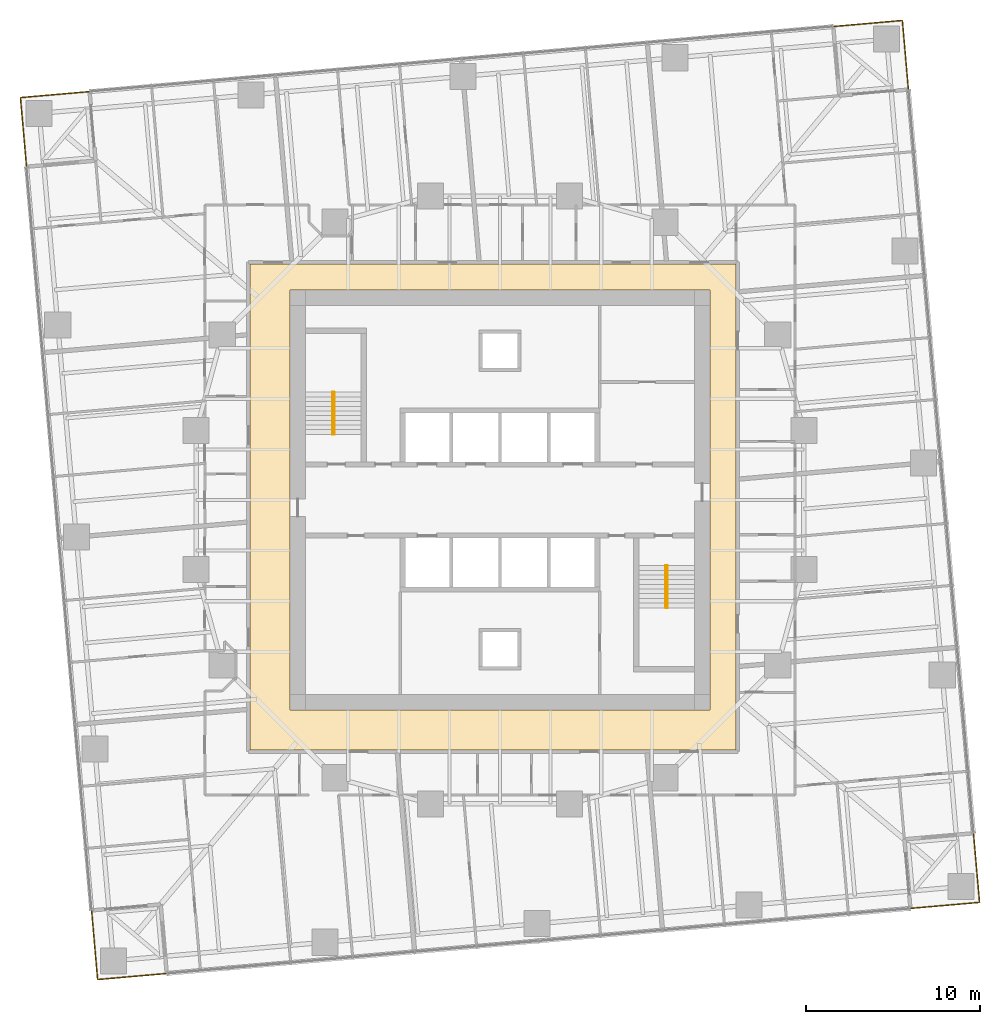
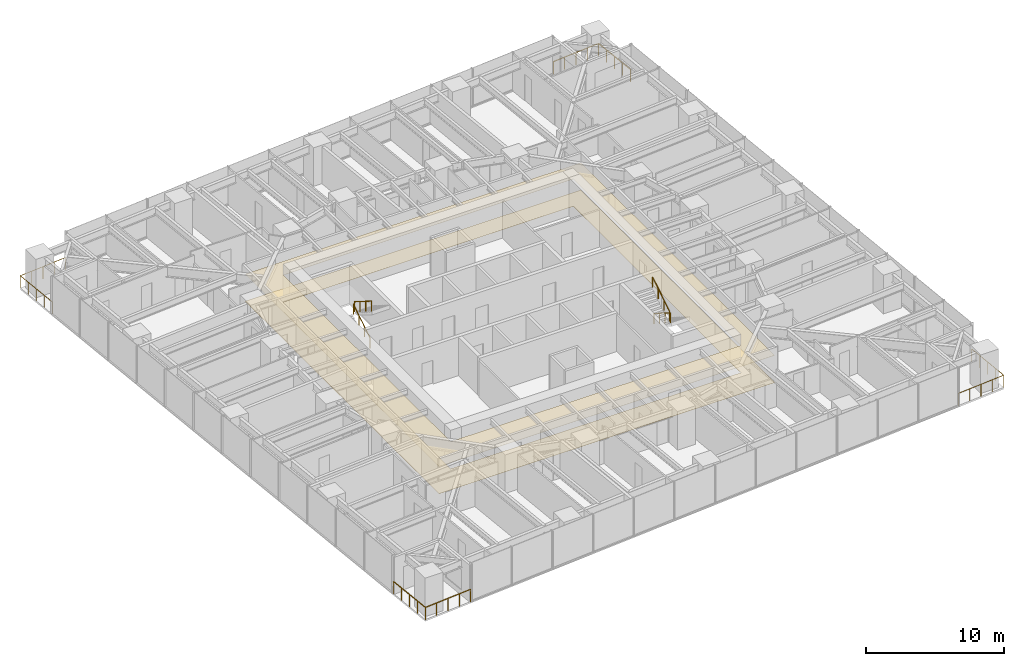
# One storey, part 14 of 14: 8 railings, 2 coverings, 2 elements without a shape of their own.
"""IFC4 building model written with IfcOpenShell, lengths in metres."""

from ifc_helpers import new_model, si_unit, direction, frame, origin, origin_2d, place, context, subcontext, project, spatial, polyline, circle, outline, extrude, material, layer, layer_set, type_object, element, aggregate, save


model = new_model("IFC4")

# Units and contexts
model_context = context("Model", 3, precision=1e-05, world=origin(), true_north=direction((0.0, 1.0)))
body_context = subcontext(model_context, "Body", "Model", "MODEL_VIEW")
ifc_project = project(units=[si_unit("LENGTHUNIT", "METRE"), si_unit("AREAUNIT", "SQUARE_METRE"), si_unit("VOLUMEUNIT", "CUBIC_METRE"), si_unit("PLANEANGLEUNIT", "RADIAN"), si_unit("MASSUNIT", "GRAM", prefix="KILO")], contexts=[model_context])

# Site, building, storey
site_placement = place(None, origin())
site = spatial("IfcSite", under=ifc_project, at=site_placement, CompositionType="ELEMENT")
building_placement = place(site_placement, origin())
building = spatial("IfcBuilding", under=site, at=building_placement, Name="Torsade Residences", CompositionType="ELEMENT")
storey_placement = place(building_placement, frame((0.0, 0.0, 54.0)))
storey = spatial("IfcBuildingStorey", under=building, at=storey_placement, Name="L14", CompositionType="ELEMENT", Elevation=54.0)

# Coverings
ifc_material_1 = material(Name="Nylon carpet tile on underlay", Category="textile")
ifc_layer_1 = layer(ifc_material_1, 0.010009765625)
ifc_layer_set_1 = layer_set([ifc_layer_1], Name="Nylon carpet tile on underlay")
covering_type_1 = type_object("IfcCoveringType", Name="CORRIDOR CARPET TILE 10", PredefinedType="FLOORING", material=ifc_layer_set_1)
covering_1_placement = place(storey_placement, origin())
element("IfcCovering", 1, at=covering_1_placement, inside=storey, type_object=covering_type_1, Name="Corridor carpet L14", PredefinedType="FLOORING", context=body_context, shape_type="SweptSolid", body=[
    extrude(outline(polyline([(53.60009765625, 15.60009765625), (53.60009765625, 43.60009765625), (25.60009765625, 43.60009765625), (25.60009765625, 15.60009765625), (53.60009765625, 15.60009765625)]), holes=[polyline([(52.10009765625, 42.10009765625), (27.89990234375, 42.10009765625), (27.89990234375, 17.89990234375), (52.10009765625, 17.89990234375), (52.10009765625, 42.10009765625)])]), origin(), (0.0, 0.0, 1.0), 0.010009765625),
])
ifc_material_2 = material(Name="Plasterboard on suspended steel grid", Category="steel")
ifc_layer_2 = layer(ifc_material_2, 0.012939453125)
ifc_layer_set_2 = layer_set([ifc_layer_2], Name="Plasterboard on suspended steel grid")
covering_type_2 = type_object("IfcCoveringType", Name="CORRIDOR SUSPENDED CEILING 13", PredefinedType="CEILING", material=ifc_layer_set_2)
covering_2_placement = place(storey_placement, frame((0.0, 0.0, 2.39990234375)))
element("IfcCovering", 2, at=covering_2_placement, inside=storey, type_object=covering_type_2, Name="Corridor ceiling L14", PredefinedType="CEILING", context=body_context, shape_type="SweptSolid", body=[
    extrude(outline(polyline([(53.60009765625, 15.60009765625), (53.60009765625, 43.60009765625), (25.60009765625, 43.60009765625), (25.60009765625, 15.60009765625), (53.60009765625, 15.60009765625)]), holes=[polyline([(52.10009765625, 42.10009765625), (27.89990234375, 42.10009765625), (27.89990234375, 17.89990234375), (52.10009765625, 17.89990234375), (52.10009765625, 42.10009765625)])]), origin(), (0.0, 0.0, 1.0), 0.01318359375),
])

# Stair, railings
ifc_material_3 = material(Name="Precast concrete 40 MPa", Category="concrete")
stair_type = type_object("IfcStairType", Name="HALF-TURN FIRE STAIR 1500x3400", PredefinedType="HALF_TURN_STAIR", material=ifc_material_3)
stair_1_placement = place(storey_placement, origin())
stair_1 = element("IfcStair", 3, at=stair_1_placement, inside=storey, type_object=stair_type, Name="Stair ST1 L14", PredefinedType="HALF_TURN_STAIR")
ifc_material_4 = material(Name="Steel handrail", Category="steel")
railing_type_1 = type_object("IfcRailingType", Name="STAIR HANDRAIL 900", PredefinedType="HANDRAIL", material=ifc_material_4)
railing_1_placement = place(storey_placement, frame((30.35009765625, 33.780029296875, 0.169921875)))
railing_1 = element("IfcRailing", 4, at=railing_1_placement, type_object=railing_type_1, Name="Handrail ST1 flight 1 L14", PredefinedType="HANDRAIL", context=body_context, shape_type="SweptSolid", body=[
    extrude(circle(Radius=0.02392578125, at=origin_2d()), frame((0.0, 0.0, 0.8759765625), z_axis=(0.0, 0.846221481393, 0.532831309544), x_axis=(-1.0, 0.0, 0.0)), (0.0, 0.0, 1.0), 2.87158203125),
    extrude(circle(Radius=0.02099609375, at=origin_2d()), origin(), (0.0, 0.0, 1.0), 0.851806640625),
    extrude(circle(Radius=0.02099609375, at=origin_2d()), frame((0.0, 0.81005859375, 0.510009765625)), (0.0, 0.0, 1.0), 0.851806640625),
    extrude(circle(Radius=0.02099609375, at=origin_2d()), frame((0.0, 1.619873046875, 1.02001953125)), (0.0, 0.0, 1.0), 0.851806640625),
    extrude(circle(Radius=0.02099609375, at=origin_2d()), frame((0.0, 2.429931640625, 1.530029296875)), (0.0, 0.0, 1.0), 0.851806640625),
])
railing_2_placement = place(storey_placement, frame((30.449951171875, 36.2099609375, 1.8701171875)))
railing_2 = element("IfcRailing", 5, at=railing_2_placement, type_object=railing_type_1, Name="Handrail ST1 flight 2 L14", PredefinedType="HANDRAIL", context=body_context, shape_type="SweptSolid", body=[
    extrude(circle(Radius=0.02392578125, at=origin_2d()), frame((0.0, 0.0, 0.8759765625), z_axis=(0.0, -0.846259816676, 0.532770422113), x_axis=(1.0, 0.0, 0.0)), (0.0, 0.0, 1.0), 2.871337890625),
    extrude(circle(Radius=0.02099609375, at=origin_2d()), origin(), (0.0, 0.0, 1.0), 0.851806640625),
    extrude(circle(Radius=0.02099609375, at=origin_2d()), frame((0.0, -0.81005859375, 0.510009765625)), (0.0, 0.0, 1.0), 0.851806640625),
    extrude(circle(Radius=0.02099609375, at=origin_2d()), frame((0.0, -1.619873046875, 1.019775390625)), (0.0, 0.0, 1.0), 0.851806640625),
    extrude(circle(Radius=0.02099609375, at=origin_2d()), frame((0.0, -2.429931640625, 1.52978515625)), (0.0, 0.0, 1.0), 0.851806640625),
])
aggregate(stair_1, [railing_1, railing_2])

stair_2_placement = place(storey_placement, origin())
stair_2 = element("IfcStair", 6, at=stair_2_placement, inside=storey, type_object=stair_type, Name="Stair ST2 L14", PredefinedType="HALF_TURN_STAIR")
railing_3_placement = place(storey_placement, frame((49.64990234375, 26.219970703125, 0.169921875)))
railing_3 = element("IfcRailing", 7, at=railing_3_placement, type_object=railing_type_1, Name="Handrail ST2 flight 1 L14", PredefinedType="HANDRAIL", context=body_context, shape_type="SweptSolid", body=[
    extrude(circle(Radius=0.02392578125, at=origin_2d()), frame((0.0, 0.0, 0.8759765625), z_axis=(0.0, -0.846221481393, 0.532831309544), x_axis=(1.0, 0.0, 0.0)), (0.0, 0.0, 1.0), 2.87158203125),
    extrude(circle(Radius=0.02099609375, at=origin_2d()), origin(), (0.0, 0.0, 1.0), 0.851806640625),
    extrude(circle(Radius=0.02099609375, at=origin_2d()), frame((0.0, -0.81005859375, 0.510009765625)), (0.0, 0.0, 1.0), 0.851806640625),
    extrude(circle(Radius=0.02099609375, at=origin_2d()), frame((0.0, -1.619873046875, 1.02001953125)), (0.0, 0.0, 1.0), 0.851806640625),
    extrude(circle(Radius=0.02099609375, at=origin_2d()), frame((0.0, -2.429931640625, 1.530029296875)), (0.0, 0.0, 1.0), 0.851806640625),
])
railing_4_placement = place(storey_placement, frame((49.550048828125, 23.7900390625, 1.8701171875)))
railing_4 = element("IfcRailing", 8, at=railing_4_placement, type_object=railing_type_1, Name="Handrail ST2 flight 2 L14", PredefinedType="HANDRAIL", context=body_context, shape_type="SweptSolid", body=[
    extrude(circle(Radius=0.02392578125, at=origin_2d()), frame((0.0, 0.0, 0.8759765625), z_axis=(0.0, 0.846259816676, 0.532770422113), x_axis=(-1.0, 0.0, 0.0)), (0.0, 0.0, 1.0), 2.871337890625),
    extrude(circle(Radius=0.02099609375, at=origin_2d()), origin(), (0.0, 0.0, 1.0), 0.851806640625),
    extrude(circle(Radius=0.02099609375, at=origin_2d()), frame((0.0, 0.81005859375, 0.510009765625)), (0.0, 0.0, 1.0), 0.851806640625),
    extrude(circle(Radius=0.02099609375, at=origin_2d()), frame((0.0, 1.619873046875, 1.019775390625)), (0.0, 0.0, 1.0), 0.851806640625),
    extrude(circle(Radius=0.02099609375, at=origin_2d()), frame((0.0, 2.429931640625, 1.52978515625)), (0.0, 0.0, 1.0), 0.851806640625),
])
aggregate(stair_2, [railing_3, railing_4])

# Railings
ifc_material_5 = material(Name="Laminated glass balustrade", Category="glass")
railing_type_2 = type_object("IfcRailingType", Name="TERRACE GLASS BALUSTRADE 1100", PredefinedType="BALUSTRADE", material=ifc_material_5)
railing_5_placement = place(storey_placement, frame((63.640625, 6.470947265625, 0.0)))
element("IfcRailing", 9, at=railing_5_placement, inside=storey, type_object=railing_type_2, Name="Terrace balustrade SE L14", PredefinedType="BALUSTRADE", context=body_context, shape_type="SweptSolid", body=[
    extrude(circle(Radius=0.02392578125, at=origin_2d()), frame((0.0, 0.0, 1.076171875), z_axis=(0.99619464492, 0.087156350505, 0.0), x_axis=(-0.087156350505, 0.99619464492, 0.0)), (0.0, 0.0, 1.0), 4.0),
    extrude(circle(Radius=0.02392578125, at=origin_2d()), frame((3.98486328125, 0.3486328125, 1.076171875), z_axis=(-0.087161650072, 0.99619418125, 0.0), x_axis=(-0.99619418125, -0.087161650072, 0.0)), (0.0, 0.0, 1.0), 3.999755859375),
    extrude(circle(Radius=0.02099609375, at=origin_2d()), origin(), (0.0, 0.0, 1.0), 1.052001953125),
    extrude(circle(Radius=0.02099609375, at=origin_2d()), frame((0.99609375, 0.087158203125, 0.0)), (0.0, 0.0, 1.0), 1.052001953125),
    extrude(circle(Radius=0.02099609375, at=origin_2d()), frame((1.992431640625, 0.17431640625, 0.0)), (0.0, 0.0, 1.0), 1.052001953125),
    extrude(circle(Radius=0.02099609375, at=origin_2d()), frame((2.98876953125, 0.261474609375, 0.0)), (0.0, 0.0, 1.0), 1.052001953125),
    extrude(circle(Radius=0.02099609375, at=origin_2d()), frame((3.98486328125, 0.3486328125, 0.0)), (0.0, 0.0, 1.0), 1.052001953125),
    extrude(circle(Radius=0.02099609375, at=origin_2d()), frame((3.897705078125, 1.3447265625, 0.0)), (0.0, 0.0, 1.0), 1.052001953125),
    extrude(circle(Radius=0.02099609375, at=origin_2d()), frame((3.810546875, 2.3408203125, 0.0)), (0.0, 0.0, 1.0), 1.052001953125),
    extrude(circle(Radius=0.02099609375, at=origin_2d()), frame((3.723388671875, 3.337158203125, 0.0)), (0.0, 0.0, 1.0), 1.052001953125),
    extrude(circle(Radius=0.02099609375, at=origin_2d()), frame((3.63623046875, 4.333251953125, 0.0)), (0.0, 0.0, 1.0), 1.052001953125),
])
railing_6_placement = place(storey_placement, frame((63.529052734375, 53.640625, 0.0)))
element("IfcRailing", 10, at=railing_6_placement, inside=storey, type_object=railing_type_2, Name="Terrace balustrade NE L14", PredefinedType="BALUSTRADE", context=body_context, shape_type="SweptSolid", body=[
    extrude(circle(Radius=0.02392578125, at=origin_2d()), frame((0.0, 0.0, 1.076171875), z_axis=(-0.087156350505, 0.99619464492, 0.0), x_axis=(-0.99619464492, -0.087156350505, 0.0)), (0.0, 0.0, 1.0), 4.0),
    extrude(circle(Radius=0.02392578125, at=origin_2d()), frame((-0.3486328125, 3.98486328125, 1.076171875), z_axis=(-0.99619418125, -0.087161650072, 0.0), x_axis=(0.087161650072, -0.99619418125, 0.0)), (0.0, 0.0, 1.0), 3.999755859375),
    extrude(circle(Radius=0.02099609375, at=origin_2d()), origin(), (0.0, 0.0, 1.0), 1.052001953125),
    extrude(circle(Radius=0.02099609375, at=origin_2d()), frame((-0.087158203125, 0.99609375, 0.0)), (0.0, 0.0, 1.0), 1.052001953125),
    extrude(circle(Radius=0.02099609375, at=origin_2d()), frame((-0.17431640625, 1.992431640625, 0.0)), (0.0, 0.0, 1.0), 1.052001953125),
    extrude(circle(Radius=0.02099609375, at=origin_2d()), frame((-0.261474609375, 2.98876953125, 0.0)), (0.0, 0.0, 1.0), 1.052001953125),
    extrude(circle(Radius=0.02099609375, at=origin_2d()), frame((-0.3486328125, 3.98486328125, 0.0)), (0.0, 0.0, 1.0), 1.052001953125),
    extrude(circle(Radius=0.02099609375, at=origin_2d()), frame((-1.3447265625, 3.897705078125, 0.0)), (0.0, 0.0, 1.0), 1.052001953125),
    extrude(circle(Radius=0.02099609375, at=origin_2d()), frame((-2.3408203125, 3.810546875, 0.0)), (0.0, 0.0, 1.0), 1.052001953125),
    extrude(circle(Radius=0.02099609375, at=origin_2d()), frame((-3.337158203125, 3.723388671875, 0.0)), (0.0, 0.0, 1.0), 1.052001953125),
    extrude(circle(Radius=0.02099609375, at=origin_2d()), frame((-4.333251953125, 3.63623046875, 0.0)), (0.0, 0.0, 1.0), 1.052001953125),
])
railing_7_placement = place(storey_placement, frame((16.359375, 53.529052734375, 0.0)))
element("IfcRailing", 11, at=railing_7_placement, inside=storey, type_object=railing_type_2, Name="Terrace balustrade NW L14", PredefinedType="BALUSTRADE", context=body_context, shape_type="SweptSolid", body=[
    extrude(circle(Radius=0.02392578125, at=origin_2d()), frame((0.0, 0.0, 1.076171875), z_axis=(-0.99619464492, -0.087156350505, 0.0), x_axis=(0.087156350505, -0.99619464492, 0.0)), (0.0, 0.0, 1.0), 4.0),
    extrude(circle(Radius=0.02392578125, at=origin_2d()), frame((-3.98486328125, -0.3486328125, 1.076171875), z_axis=(0.087161650072, -0.99619418125, 0.0), x_axis=(0.99619418125, 0.087161650072, 0.0)), (0.0, 0.0, 1.0), 3.999755859375),
    extrude(circle(Radius=0.02099609375, at=origin_2d()), origin(), (0.0, 0.0, 1.0), 1.052001953125),
    extrude(circle(Radius=0.02099609375, at=origin_2d()), frame((-0.99609375, -0.087158203125, 0.0)), (0.0, 0.0, 1.0), 1.052001953125),
    extrude(circle(Radius=0.02099609375, at=origin_2d()), frame((-1.992431640625, -0.17431640625, 0.0)), (0.0, 0.0, 1.0), 1.052001953125),
    extrude(circle(Radius=0.02099609375, at=origin_2d()), frame((-2.98876953125, -0.261474609375, 0.0)), (0.0, 0.0, 1.0), 1.052001953125),
    extrude(circle(Radius=0.02099609375, at=origin_2d()), frame((-3.98486328125, -0.3486328125, 0.0)), (0.0, 0.0, 1.0), 1.052001953125),
    extrude(circle(Radius=0.02099609375, at=origin_2d()), frame((-3.897705078125, -1.3447265625, 0.0)), (0.0, 0.0, 1.0), 1.052001953125),
    extrude(circle(Radius=0.02099609375, at=origin_2d()), frame((-3.810546875, -2.3408203125, 0.0)), (0.0, 0.0, 1.0), 1.052001953125),
    extrude(circle(Radius=0.02099609375, at=origin_2d()), frame((-3.723388671875, -3.337158203125, 0.0)), (0.0, 0.0, 1.0), 1.052001953125),
    extrude(circle(Radius=0.02099609375, at=origin_2d()), frame((-3.63623046875, -4.333251953125, 0.0)), (0.0, 0.0, 1.0), 1.052001953125),
])
railing_8_placement = place(storey_placement, frame((16.470947265625, 6.359375, 0.0)))
element("IfcRailing", 12, at=railing_8_placement, inside=storey, type_object=railing_type_2, Name="Terrace balustrade SW L14", PredefinedType="BALUSTRADE", context=body_context, shape_type="SweptSolid", body=[
    extrude(circle(Radius=0.02392578125, at=origin_2d()), frame((0.0, 0.0, 1.076171875), z_axis=(0.087156350505, -0.99619464492, 0.0), x_axis=(0.99619464492, 0.087156350505, 0.0)), (0.0, 0.0, 1.0), 4.0),
    extrude(circle(Radius=0.02392578125, at=origin_2d()), frame((0.3486328125, -3.98486328125, 1.076171875), z_axis=(0.99619418125, 0.087161650072, 0.0), x_axis=(-0.087161650072, 0.99619418125, 0.0)), (0.0, 0.0, 1.0), 3.999755859375),
    extrude(circle(Radius=0.02099609375, at=origin_2d()), origin(), (0.0, 0.0, 1.0), 1.052001953125),
    extrude(circle(Radius=0.02099609375, at=origin_2d()), frame((0.087158203125, -0.99609375, 0.0)), (0.0, 0.0, 1.0), 1.052001953125),
    extrude(circle(Radius=0.02099609375, at=origin_2d()), frame((0.17431640625, -1.992431640625, 0.0)), (0.0, 0.0, 1.0), 1.052001953125),
    extrude(circle(Radius=0.02099609375, at=origin_2d()), frame((0.261474609375, -2.98876953125, 0.0)), (0.0, 0.0, 1.0), 1.052001953125),
    extrude(circle(Radius=0.02099609375, at=origin_2d()), frame((0.3486328125, -3.98486328125, 0.0)), (0.0, 0.0, 1.0), 1.052001953125),
    extrude(circle(Radius=0.02099609375, at=origin_2d()), frame((1.3447265625, -3.897705078125, 0.0)), (0.0, 0.0, 1.0), 1.052001953125),
    extrude(circle(Radius=0.02099609375, at=origin_2d()), frame((2.3408203125, -3.810546875, 0.0)), (0.0, 0.0, 1.0), 1.052001953125),
    extrude(circle(Radius=0.02099609375, at=origin_2d()), frame((3.337158203125, -3.723388671875, 0.0)), (0.0, 0.0, 1.0), 1.052001953125),
    extrude(circle(Radius=0.02099609375, at=origin_2d()), frame((4.333251953125, -3.63623046875, 0.0)), (0.0, 0.0, 1.0), 1.052001953125),
])

save(model, "model.ifc")
